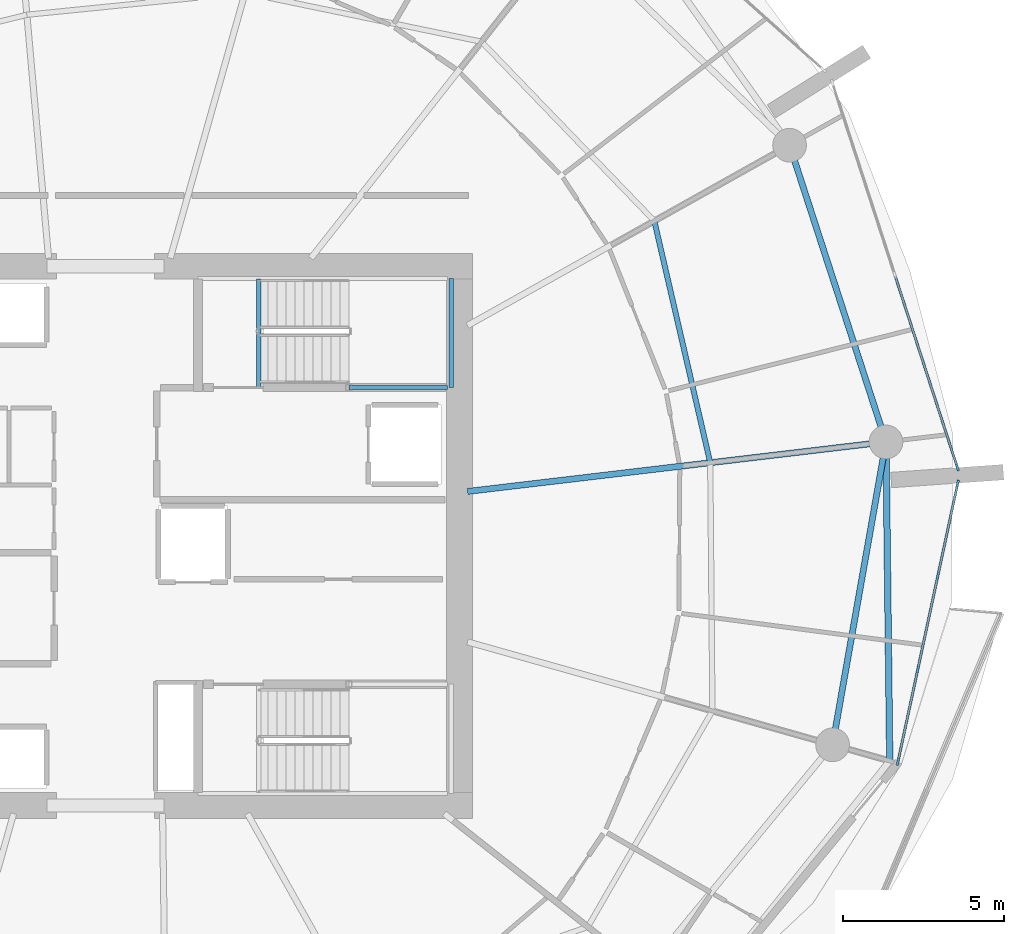
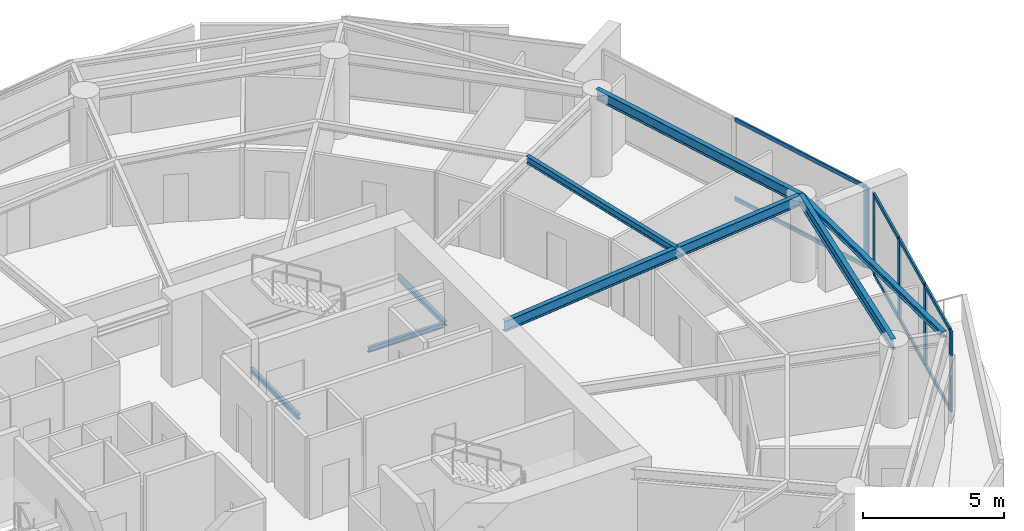
# One storey, part 7 of 20: 13 members, 8 beams, 2 elements without a shape of their own.
"""IFC4 building model written with IfcOpenShell, lengths in metres."""

from ifc_helpers import new_model, si_unit, direction, frame, origin, origin_2d, place, context, subcontext, project, spatial, rectangle, i_section, extrude, material, layer, layer_set, material_profile, profile_set, type_object, element, aggregate, save


model = new_model("IFC4")

# Units and contexts
model_context = context("Model", 3, precision=1e-05, world=origin(), true_north=direction((0.0, 1.0)))
body_context = subcontext(model_context, "Body", "Model", "MODEL_VIEW")
ifc_project = project(units=[si_unit("LENGTHUNIT", "METRE"), si_unit("AREAUNIT", "SQUARE_METRE"), si_unit("VOLUMEUNIT", "CUBIC_METRE"), si_unit("PLANEANGLEUNIT", "RADIAN"), si_unit("MASSUNIT", "GRAM", prefix="KILO")], contexts=[model_context])

# Site, building, storey
site_placement = place(None, origin())
site = spatial("IfcSite", under=ifc_project, at=site_placement, CompositionType="ELEMENT")
building_placement = place(site_placement, origin())
building = spatial("IfcBuilding", under=site, at=building_placement, Name="Kazma Halo Residences", CompositionType="ELEMENT")
storey_placement = place(building_placement, frame((0.0, 0.0, 135.300048828125)))
storey = spatial("IfcBuildingStorey", under=building, at=storey_placement, Name="L33", CompositionType="ELEMENT", Elevation=135.300048828125)

# Beams
ifc_material_1 = material(Name="Steel S355", Category="steel")
ifc_material_profile_1 = material_profile(ifc_material_1, i_section(OverallWidth=0.201904296875, OverallDepth=0.2470703125, WebThickness=0.00732421875, FlangeThickness=0.010986328125, FilletRadius=0.011962890625, at=origin_2d()), Name="W250x49.1")
ifc_profile_set_1 = profile_set([ifc_material_profile_1], Name="Steel S355")
beam_type_1 = type_object("IfcBeamType", Name="BM-BAL-CANT", PredefinedType="BEAM", material=ifc_profile_set_1)
beam_1_placement = place(storey_placement, frame((72.850341796875, 34.991455078125, 3.37646484375), z_axis=(-0.011793371143, 0.99993045578, 0.0), x_axis=(-0.99993045578, -0.011793371143, 0.0)))
element("IfcBeam", 1, at=beam_1_placement, inside=storey, type_object=beam_type_1, Name="L33 wave-balcony tie beam 15", PredefinedType="BEAM", context=body_context, shape_type="SweptSolid", body=[
    extrude(i_section(OverallWidth=0.201904296875, OverallDepth=0.2470703125, WebThickness=0.00732421875, FlangeThickness=0.010986328125, FilletRadius=0.011962890625, at=origin_2d()), origin(), (0.0, 0.0, 1.0), 9.936767578125),
])
ifc_material_profile_2 = material_profile(ifc_material_1, i_section(OverallWidth=0.18994140625, OverallDepth=0.45703125, WebThickness=0.009033203125, FlangeThickness=0.014404296875, FilletRadius=0.01611328125, at=origin_2d()), Name="W460x74")
ifc_profile_set_2 = profile_set([ifc_material_profile_2], Name="Steel S355")
beam_type_2 = type_object("IfcBeamType", Name="BM-RAD-W460", PredefinedType="BEAM", material=ifc_profile_set_2)
beam_2_placement = place(storey_placement, frame((59.699951171875, 43.384765625, 3.271484375), z_axis=(0.993067181848, 0.117548170278, 0.0), x_axis=(-0.117548170278, 0.993067181848, 0.0)))
element("IfcBeam", 2, at=beam_2_placement, inside=storey, type_object=beam_type_2, Name="L33 radial floor beam 16", PredefinedType="BEAM", context=body_context, shape_type="SweptSolid", body=[
    extrude(i_section(OverallWidth=0.18994140625, OverallDepth=0.45703125, WebThickness=0.009033203125, FlangeThickness=0.014404296875, FilletRadius=0.01611328125, at=origin_2d()), origin(), (0.0, 0.0, 1.0), 13.124267578125),
])
ifc_material_profile_3 = material_profile(ifc_material_1, i_section(OverallWidth=0.1650390625, OverallDepth=0.31005859375, WebThickness=0.005859375, FlangeThickness=0.009765625, FilletRadius=0.011962890625, at=origin_2d()), Name="W310x38.7")
ifc_profile_set_3 = profile_set([ifc_material_profile_3], Name="Steel S355")
beam_type_3 = type_object("IfcBeamType", Name="BM-SEC-W310B", PredefinedType="JOIST", material=ifc_profile_set_3)
beam_3_placement = place(storey_placement, frame((67.25927734375, 44.279541015625, 3.344970703125), z_axis=(-0.225330067077, 0.97428248515, 0.0), x_axis=(-0.97428248515, -0.225330067077, 0.0)))
element("IfcBeam", 3, at=beam_3_placement, inside=storey, type_object=beam_type_3, Name="L33 circumferential floor joist 16", PredefinedType="JOIST", context=body_context, shape_type="SweptSolid", body=[
    extrude(i_section(OverallWidth=0.1650390625, OverallDepth=0.31005859375, WebThickness=0.005859375, FlangeThickness=0.009765625, FilletRadius=0.011962890625, at=origin_2d()), origin(), (0.0, 0.0, 1.0), 7.7294921875),
])
ifc_material_profile_4 = material_profile(ifc_material_1, i_section(OverallWidth=0.18994140625, OverallDepth=0.45703125, WebThickness=0.009033203125, FlangeThickness=0.014404296875, FilletRadius=0.01611328125, at=origin_2d()), Name="W460x74")
ifc_profile_set_4 = profile_set([ifc_material_profile_4], Name="Steel S355")
beam_type_4 = type_object("IfcBeamType", Name="BM-SPN-W460", PredefinedType="BEAM", material=ifc_profile_set_4)
beam_4_placement = place(storey_placement, frame((71.06982421875, 35.49365234375, 3.271484375), z_axis=(0.173637033425, 0.984809717978, 0.0), x_axis=(-0.984809717978, 0.173637033425, 0.0)))
element("IfcBeam", 4, at=beam_4_placement, inside=storey, type_object=beam_type_4, Name="L33 perimeter ring beam 15", PredefinedType="BEAM", context=body_context, shape_type="SweptSolid", body=[
    extrude(i_section(OverallWidth=0.18994140625, OverallDepth=0.45703125, WebThickness=0.009033203125, FlangeThickness=0.014404296875, FilletRadius=0.01611328125, at=origin_2d()), origin(), (0.0, 0.0, 1.0), 9.579345703125),
])
beam_5_placement = place(storey_placement, frame((72.733154296875, 44.927490234375, 3.271484375), z_axis=(-0.309020741629, 0.95105529873, 0.0), x_axis=(-0.95105529873, -0.309020741629, 0.0)))
element("IfcBeam", 5, at=beam_5_placement, inside=storey, type_object=beam_type_4, Name="L33 perimeter ring beam 16", PredefinedType="BEAM", context=body_context, shape_type="SweptSolid", body=[
    extrude(i_section(OverallWidth=0.18994140625, OverallDepth=0.45703125, WebThickness=0.009033203125, FlangeThickness=0.014404296875, FilletRadius=0.01611328125, at=origin_2d()), origin(), (0.0, 0.0, 1.0), 9.717529296875),
])
ifc_material_profile_5 = material_profile(ifc_material_1, i_section(OverallWidth=0.133056640625, OverallDepth=0.20703125, WebThickness=0.005859375, FlangeThickness=0.00830078125, FilletRadius=0.010009765625, at=origin_2d()), Name="W200x26.6")
ifc_profile_set_5 = profile_set([ifc_material_profile_5], Name="Steel S355")
beam_type_5 = type_object("IfcBeamType", Name="BM-TRIM-W200", PredefinedType="BEAM", material=ifc_profile_set_5)
beam_6_placement = place(storey_placement, frame((53.199951171875, 46.6201171875, -0.360107421875), z_axis=(0.0, 1.0, 0.0), x_axis=(-1.0, 0.0, 0.0)))
element("IfcBeam", 6, at=beam_6_placement, inside=storey, type_object=beam_type_5, Name="L33 ST-02 floor landing support beam", PredefinedType="BEAM", context=body_context, shape_type="SweptSolid", body=[
    extrude(i_section(OverallWidth=0.133056640625, OverallDepth=0.20703125, WebThickness=0.005859375, FlangeThickness=0.00830078125, FilletRadius=0.010009765625, at=origin_2d()), origin(), (0.0, 0.0, 1.0), 3.3798828125),
])
beam_7_placement = place(storey_placement, frame((56.0, 46.6201171875, 1.570068359375), z_axis=(1.0, 0.0, 0.0), x_axis=(0.0, 1.0, 0.0)))
element("IfcBeam", 7, at=beam_7_placement, inside=storey, type_object=beam_type_5, Name="L33 ST-02 landing south wall ledger", PredefinedType="BEAM", context=body_context, shape_type="SweptSolid", body=[
    extrude(i_section(OverallWidth=0.133056640625, OverallDepth=0.20703125, WebThickness=0.005859375, FlangeThickness=0.00830078125, FilletRadius=0.010009765625, at=origin_2d()), origin(), (0.0, 0.0, 1.0), 3.070068359375),
])
beam_8_placement = place(storey_placement, frame((59.18994140625, 46.6201171875, 1.570068359375), z_axis=(0.0, 1.0, 0.0), x_axis=(-1.0, 0.0, 0.0)))
element("IfcBeam", 8, at=beam_8_placement, inside=storey, type_object=beam_type_5, Name="L33 ST-02 landing end wall ledger", PredefinedType="BEAM", context=body_context, shape_type="SweptSolid", body=[
    extrude(i_section(OverallWidth=0.133056640625, OverallDepth=0.20703125, WebThickness=0.005859375, FlangeThickness=0.00830078125, FilletRadius=0.010009765625, at=origin_2d()), origin(), (0.0, 0.0, 1.0), 3.39990234375),
])

# Curtain wall, members
ifc_material_2 = material(Name="Aluminium AW-6063 T6 and Triple-Silver Low-E Glass", Category="aluminium")
ifc_layer = layer(ifc_material_2, 0.219970703125)
ifc_layer_set = layer_set([ifc_layer], Name="Aluminium AW-6063 T6 and Triple-Silver Low-E Glass")
curtain_wall_type = type_object("IfcCurtainWallType", Name="CW-SYS-4", PredefinedType="NOTDEFINED", material=ifc_layer_set)
curtain_wall_1_placement = place(storey_placement, origin())
curtain_wall_1 = element("IfcCurtainWall", 9, at=curtain_wall_1_placement, inside=storey, type_object=curtain_wall_type, Name="L33 unitised curtain wall B15", PredefinedType="NOTDEFINED")
ifc_material_3 = material(Name="Aluminium AW-6063 T6", Category="aluminium")
ifc_material_profile_6 = material_profile(ifc_material_3, rectangle(XDim=0.074951171875, YDim=0.219970703125, at=origin_2d()), Name="CWM-75x220")
ifc_profile_set_6 = profile_set([ifc_material_profile_6], Name="Aluminium AW-6063 T6")
member_type_1 = type_object("IfcMemberType", Name="CW-SYS-4-MUL", PredefinedType="MULLION", material=ifc_profile_set_6)
member_1_placement = place(storey_placement, frame((73.105224609375, 34.95849609375, 0.0), z_axis=(0.0, 0.0, 1.0), x_axis=(-0.977764957684, 0.209703809037, 0.0)))
member_1 = element("IfcMember", 10, at=member_1_placement, type_object=member_type_1, Name="CWS-4 mullion 1", PredefinedType="MULLION", context=body_context, shape_type="SweptSolid", body=[
    extrude(rectangle(XDim=0.074951171875, YDim=0.219970703125, at=origin_2d()), origin(), (0.0, 0.0, 1.0), 3.5),
])
member_2_placement = place(storey_placement, frame((73.72314453125, 37.839111328125, 0.0), z_axis=(0.0, 0.0, 1.0), x_axis=(-0.977764957684, 0.209703809037, 0.0)))
member_2 = element("IfcMember", 11, at=member_2_placement, type_object=member_type_1, Name="CWS-4 mullion 2", PredefinedType="MULLION", context=body_context, shape_type="SweptSolid", body=[
    extrude(rectangle(XDim=0.074951171875, YDim=0.219970703125, at=origin_2d()), origin(), (0.0, 0.0, 1.0), 3.5),
])
member_3_placement = place(storey_placement, frame((74.3486328125, 40.75634765625, 0.0), z_axis=(0.0, 0.0, 1.0), x_axis=(-0.977764957684, 0.209703809037, 0.0)))
member_3 = element("IfcMember", 12, at=member_3_placement, type_object=member_type_1, Name="CWS-4 mullion 3", PredefinedType="MULLION", context=body_context, shape_type="SweptSolid", body=[
    extrude(rectangle(XDim=0.074951171875, YDim=0.219970703125, at=origin_2d()), origin(), (0.0, 0.0, 1.0), 3.5),
])
member_4_placement = place(storey_placement, frame((74.966552734375, 43.63671875, 0.0), z_axis=(0.0, 0.0, 1.0), x_axis=(-0.977764957684, 0.209703809037, 0.0)))
member_4 = element("IfcMember", 13, at=member_4_placement, type_object=member_type_1, Name="CWS-4 mullion 4", PredefinedType="MULLION", context=body_context, shape_type="SweptSolid", body=[
    extrude(rectangle(XDim=0.074951171875, YDim=0.219970703125, at=origin_2d()), origin(), (0.0, 0.0, 1.0), 3.5),
])

# Curtain wall, member
curtain_wall_2_placement = place(storey_placement, origin())
curtain_wall_2 = element("IfcCurtainWall", 14, at=curtain_wall_2_placement, inside=storey, type_object=curtain_wall_type, Name="L33 unitised curtain wall B16", PredefinedType="NOTDEFINED")
member_5_placement = place(storey_placement, frame((74.955810546875, 44.13427734375, 0.0), z_axis=(0.0, 0.0, 1.0), x_axis=(-0.951057547609, -0.3090138203, 0.0)))
member_5 = element("IfcMember", 15, at=member_5_placement, type_object=member_type_1, Name="CWS-4 mullion 1", PredefinedType="MULLION", context=body_context, shape_type="SweptSolid", body=[
    extrude(rectangle(XDim=0.074951171875, YDim=0.219970703125, at=origin_2d()), origin(), (0.0, 0.0, 1.0), 3.5),
])

# Member
ifc_material_profile_7 = material_profile(ifc_material_3, rectangle(XDim=0.074951171875, YDim=0.1650390625, at=origin_2d()), Name="CWT-75x165")
ifc_profile_set_7 = profile_set([ifc_material_profile_7], Name="Aluminium AW-6063 T6")
member_type_2 = type_object("IfcMemberType", Name="CW-SYS-4-TRN", PredefinedType="USERDEFINED", material=ifc_profile_set_7)
member_6_placement = place(storey_placement, frame((73.113037109375, 34.9951171875, 0.037353515625), z_axis=(0.209703309269, 0.977765064871, 0.0), x_axis=(-0.977765064871, 0.209703309269, 0.0)))
member_6 = element("IfcMember", 16, at=member_6_placement, type_object=member_type_2, Name="CWS-4 transom 1.1", ObjectType="TRANSOM", PredefinedType="USERDEFINED", context=body_context, shape_type="SweptSolid", body=[
    extrude(rectangle(XDim=0.074951171875, YDim=0.1650390625, at=origin_2d()), origin(), (0.0, 0.0, 1.0), 2.870849609375),
])

member_7_placement = place(storey_placement, frame((73.113037109375, 34.9951171875, 3.46240234375), z_axis=(0.209703309269, 0.977765064871, 0.0), x_axis=(-0.977765064871, 0.209703309269, 0.0)))
member_7 = element("IfcMember", 17, at=member_7_placement, type_object=member_type_2, Name="CWS-4 transom 1.2", ObjectType="TRANSOM", PredefinedType="USERDEFINED", context=body_context, shape_type="SweptSolid", body=[
    extrude(rectangle(XDim=0.074951171875, YDim=0.1650390625, at=origin_2d()), origin(), (0.0, 0.0, 1.0), 2.870849609375),
])

member_8_placement = place(storey_placement, frame((73.73095703125, 37.875732421875, 0.037353515625), z_axis=(0.209689601293, 0.977768004748, 0.0), x_axis=(-0.977768004748, 0.209689601293, 0.0)))
member_8 = element("IfcMember", 18, at=member_8_placement, type_object=member_type_2, Name="CWS-4 transom 2.1", ObjectType="TRANSOM", PredefinedType="USERDEFINED", context=body_context, shape_type="SweptSolid", body=[
    extrude(rectangle(XDim=0.074951171875, YDim=0.1650390625, at=origin_2d()), origin(), (0.0, 0.0, 1.0), 2.908447265625),
])

member_9_placement = place(storey_placement, frame((73.73095703125, 37.875732421875, 3.46240234375), z_axis=(0.209689601293, 0.977768004748, 0.0), x_axis=(-0.977768004748, 0.209689601293, 0.0)))
member_9 = element("IfcMember", 19, at=member_9_placement, type_object=member_type_2, Name="CWS-4 transom 2.2", ObjectType="TRANSOM", PredefinedType="USERDEFINED", context=body_context, shape_type="SweptSolid", body=[
    extrude(rectangle(XDim=0.074951171875, YDim=0.1650390625, at=origin_2d()), origin(), (0.0, 0.0, 1.0), 2.908447265625),
])

member_10_placement = place(storey_placement, frame((74.356689453125, 40.79296875, 0.037353515625), z_axis=(0.209703309269, 0.977765064871, 0.0), x_axis=(-0.977765064871, 0.209703309269, 0.0)))
member_10 = element("IfcMember", 20, at=member_10_placement, type_object=member_type_2, Name="CWS-4 transom 3.1", ObjectType="TRANSOM", PredefinedType="USERDEFINED", context=body_context, shape_type="SweptSolid", body=[
    extrude(rectangle(XDim=0.074951171875, YDim=0.1650390625, at=origin_2d()), origin(), (0.0, 0.0, 1.0), 2.870849609375),
])

member_11_placement = place(storey_placement, frame((74.356689453125, 40.79296875, 3.46240234375), z_axis=(0.209703309269, 0.977765064871, 0.0), x_axis=(-0.977765064871, 0.209703309269, 0.0)))
member_11 = element("IfcMember", 21, at=member_11_placement, type_object=member_type_2, Name="CWS-4 transom 3.2", ObjectType="TRANSOM", PredefinedType="USERDEFINED", context=body_context, shape_type="SweptSolid", body=[
    extrude(rectangle(XDim=0.074951171875, YDim=0.1650390625, at=origin_2d()), origin(), (0.0, 0.0, 1.0), 2.870849609375),
])

aggregate(curtain_wall_1, [member_1, member_2, member_3, member_4, member_6, member_7, member_8, member_9, member_10, member_11])

member_12_placement = place(storey_placement, frame((74.9443359375, 44.169921875, 0.037353515625), z_axis=(-0.309006258762, 0.95106000444, 0.0), x_axis=(-0.95106000444, -0.309006258762, 0.0)))
member_12 = element("IfcMember", 22, at=member_12_placement, type_object=member_type_2, Name="CWS-4 transom 1.1", ObjectType="TRANSOM", PredefinedType="USERDEFINED", context=body_context, shape_type="SweptSolid", body=[
    extrude(rectangle(XDim=0.074951171875, YDim=0.1650390625, at=origin_2d()), origin(), (0.0, 0.0, 1.0), 6.22509765625),
])

member_13_placement = place(storey_placement, frame((74.9443359375, 44.169921875, 3.46240234375), z_axis=(-0.309006258762, 0.95106000444, 0.0), x_axis=(-0.95106000444, -0.309006258762, 0.0)))
member_13 = element("IfcMember", 23, at=member_13_placement, type_object=member_type_2, Name="CWS-4 transom 1.2", ObjectType="TRANSOM", PredefinedType="USERDEFINED", context=body_context, shape_type="SweptSolid", body=[
    extrude(rectangle(XDim=0.074951171875, YDim=0.1650390625, at=origin_2d()), origin(), (0.0, 0.0, 1.0), 6.22509765625),
])

aggregate(curtain_wall_2, [member_5, member_12, member_13])

save(model, "model.ifc")
